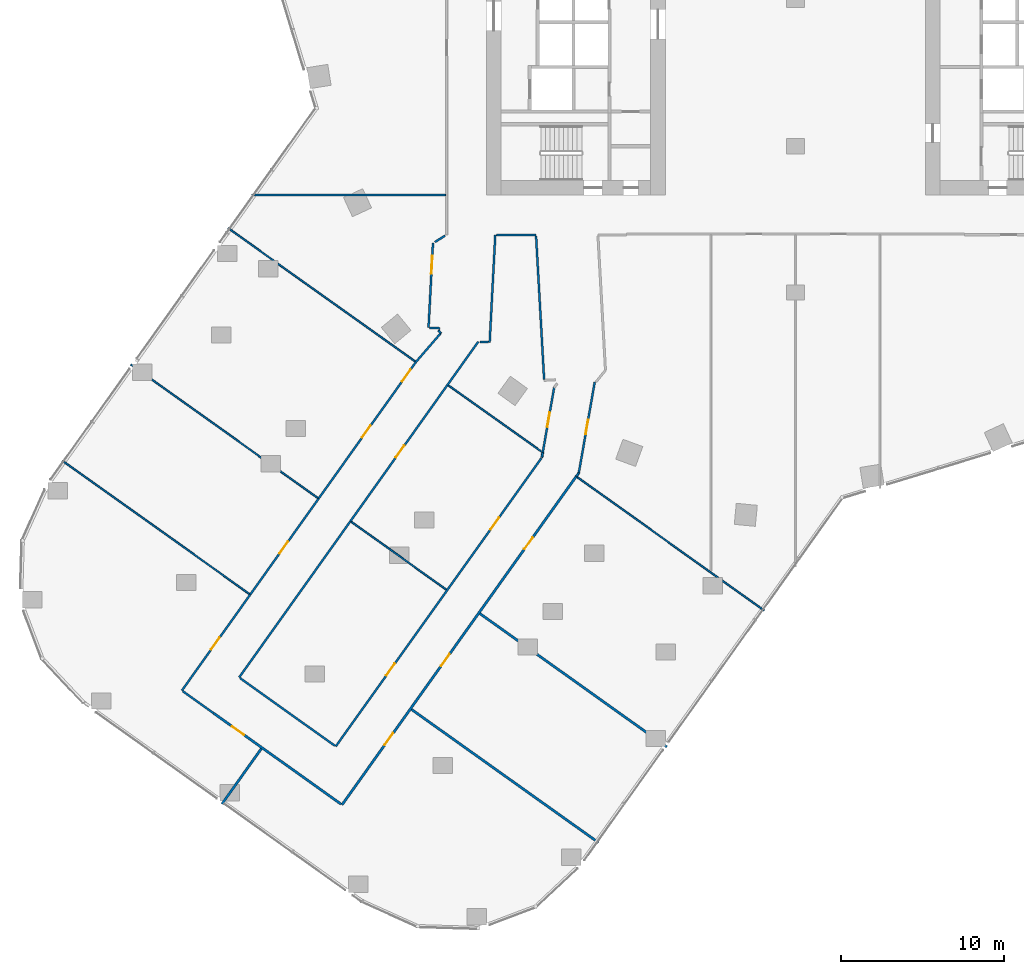
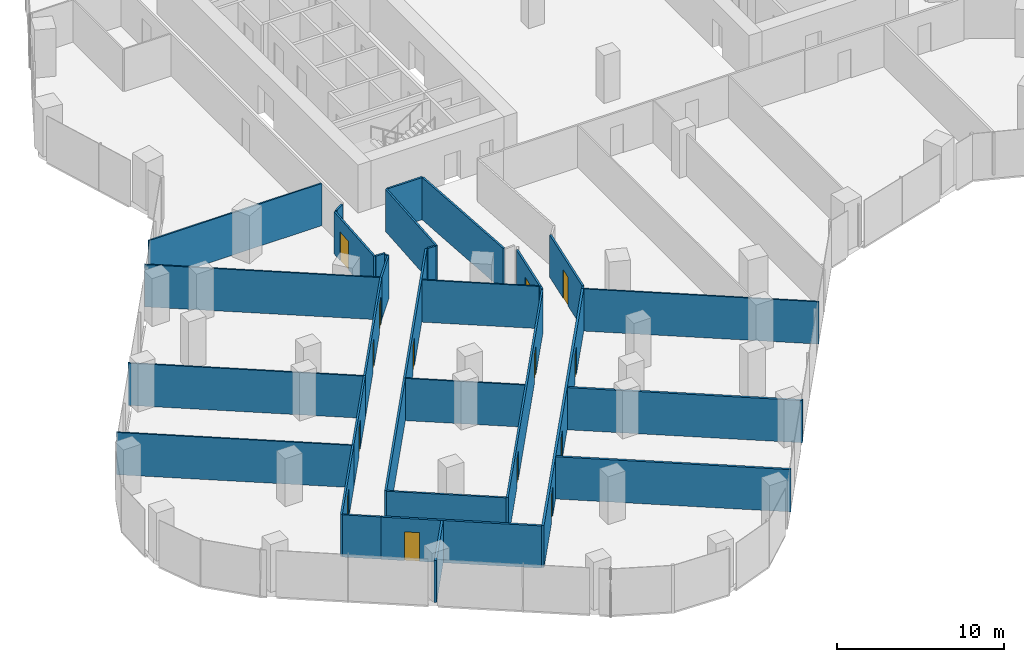
# One storey, part 23 of 31: 33 walls, 14 doors, 14 openings.
"""IFC4 building model written with IfcOpenShell, lengths in metres."""

from ifc_helpers import new_model, si_unit, direction, frame, frame_2d, origin, place, context, subcontext, project, spatial, rectangle, extrude, material, layer, layer_set, type_object, element, fill, save


model = new_model("IFC4")

# Units and contexts
model_context = context("Model", 3, precision=1e-05, world=origin(), true_north=direction((0.0, 1.0)))
body_context = subcontext(model_context, "Body", "Model", "MODEL_VIEW")
ifc_project = project(units=[si_unit("LENGTHUNIT", "METRE"), si_unit("AREAUNIT", "SQUARE_METRE"), si_unit("VOLUMEUNIT", "CUBIC_METRE"), si_unit("PLANEANGLEUNIT", "RADIAN"), si_unit("MASSUNIT", "GRAM", prefix="KILO")], contexts=[model_context])

# Site, building, storey
site_placement = place(None, origin())
site = spatial("IfcSite", under=ifc_project, at=site_placement, CompositionType="ELEMENT")
building_placement = place(site_placement, origin())
building = spatial("IfcBuilding", under=site, at=building_placement, Name="Orlundy Tower", CompositionType="ELEMENT")
storey_placement = place(building_placement, frame((0.0, 0.0, 87.699951171875)))
storey = spatial("IfcBuildingStorey", under=building, at=storey_placement, Name="L21", CompositionType="ELEMENT", Elevation=87.699951171875)

# Walls
ifc_material_1 = material(Name="Gypsum board partition")
ifc_layer_1 = layer(ifc_material_1, 0.10009765625)
ifc_layer_set_1 = layer_set([ifc_layer_1], Name="Floor partition 100")
wall_type_1 = type_object("IfcWallType", Name="Floor partition 100", PredefinedType="PARTITIONING", material=ifc_layer_set_1)
wall_1_placement = place(storey_placement, frame((-45.091064453125, -28.343994140625, 0.0), z_axis=(0.0, 0.0, 1.0), x_axis=(0.814507796702, -0.580152608468, 0.0)))
element("IfcWall", 1, at=wall_1_placement, inside=storey, type_object=wall_type_1, Name="wall-int-L21-007", PredefinedType="PARTITIONING", context=body_context, shape_type="SweptSolid", body=[
    extrude(rectangle(XDim=14.13232421875, YDim=0.10009765625, at=frame_2d((7.066162109375, 0.0))), origin(), (0.0, 0.0, 1.0), 3.080078125),
])
wall_2_placement = place(storey_placement, frame((-40.875, -22.43310546875, 0.0), z_axis=(0.0, 0.0, 1.0), x_axis=(0.814073113892, -0.580762399987, 0.0)))
element("IfcWall", 2, at=wall_2_placement, inside=storey, type_object=wall_type_1, Name="wall-int-L21-009", PredefinedType="PARTITIONING", context=body_context, shape_type="SweptSolid", body=[
    extrude(rectangle(XDim=14.127685546875, YDim=0.10009765625, at=frame_2d((7.06396484375, 0.0))), origin(), (0.0, 0.0, 1.0), 3.080078125),
])
wall_3_placement = place(storey_placement, frame((-27.31689453125, -32.10400390625, 0.0), z_axis=(0.0, 0.0, 1.0), x_axis=(0.814075490276, -0.58075906892, 0.0)))
element("IfcWall", 3, at=wall_3_placement, inside=storey, type_object=wall_type_1, Name="wall-int-L21-010", PredefinedType="PARTITIONING", context=body_context, shape_type="SweptSolid", body=[
    extrude(rectangle(XDim=7.18359375, YDim=0.10009765625, at=frame_2d((3.591796875, 0.0))), origin(), (0.0, 0.0, 1.0), 3.080078125),
])
wall_4_placement = place(storey_placement, frame((-34.889892578125, -14.04296875, 0.0), z_axis=(0.0, 0.0, 1.0), x_axis=(0.814114134431, -0.580704895898, 0.0)))
element("IfcWall", 4, at=wall_4_placement, inside=storey, type_object=wall_type_1, Name="wall-int-L21-012", PredefinedType="PARTITIONING", context=body_context, shape_type="SweptSolid", body=[
    extrude(rectangle(XDim=14.12060546875, YDim=0.10009765625, at=frame_2d((7.060302734375, 0.0))), origin(), (0.0, 0.0, 1.0), 3.080078125),
])
wall_5_placement = place(storey_placement, frame((-21.337890625, -23.708984375, 0.0), z_axis=(0.0, 0.0, 1.0), x_axis=(0.814120490143, -0.580695985461, 0.0)))
element("IfcWall", 5, at=wall_5_placement, inside=storey, type_object=wall_type_1, Name="wall-int-L21-013", PredefinedType="PARTITIONING", context=body_context, shape_type="SweptSolid", body=[
    extrude(rectangle(XDim=7.029541015625, YDim=0.10009765625, at=frame_2d((3.5146484375, 0.0))), origin(), (0.0, 0.0, 1.0), 3.080078125),
])
wall_6_placement = place(storey_placement, frame((-13.4169921875, -29.35888671875, 0.0), z_axis=(0.0, 0.0, 1.0), x_axis=(0.814093047319, -0.580734457655, 0.0)))
element("IfcWall", 6, at=wall_6_placement, inside=storey, type_object=wall_type_1, Name="wall-int-L21-014", PredefinedType="PARTITIONING", context=body_context, shape_type="SweptSolid", body=[
    extrude(rectangle(XDim=14.123779296875, YDim=0.10009765625, at=frame_2d((7.06201171875, 0.0))), origin(), (0.0, 0.0, 1.0), 3.080078125),
])
wall_7_placement = place(storey_placement, frame((-33.43310546875, -12.0, 0.0), z_axis=(0.0, 0.0, 1.0), x_axis=(1.0, 0.0, 0.0)))
element("IfcWall", 7, at=wall_7_placement, inside=storey, type_object=wall_type_1, Name="wall-int-L21-035", PredefinedType="PARTITIONING", context=body_context, shape_type="SweptSolid", body=[
    extrude(rectangle(XDim=11.921142578125, YDim=0.10009765625, at=frame_2d((5.96044921875, 0.0))), origin(), (0.0, 0.0, 1.0), 3.080078125),
])
ifc_material_2 = material(Name="Gypsum board partition, double layer")
ifc_layer_2 = layer(ifc_material_2, 0.125)
ifc_layer_set_2 = layer_set([ifc_layer_2], Name="Floor partition 125")
wall_type_2 = type_object("IfcWallType", Name="Floor partition 125", PredefinedType="PARTITIONING", material=ifc_layer_set_2)
wall_8_placement = place(storey_placement, frame((-15.455078125, -23.341064453125, 0.0), z_axis=(0.0, 0.0, 1.0), x_axis=(-0.056078648391, 0.998426354417, 0.0)))
element("IfcWall", 8, at=wall_8_placement, inside=storey, type_object=wall_type_2, Name="wall-int-L21-001", PredefinedType="PARTITIONING", context=body_context, shape_type="SweptSolid", body=[
    extrude(rectangle(XDim=8.842041015625, YDim=0.125, at=frame_2d((4.4208984375, 0.0))), origin(), (0.0, 0.0, 1.0), 3.080078125),
])
wall_9_placement = place(storey_placement, frame((-21.955078125, -20.330078125, 0.0), z_axis=(0.0, 0.0, 1.0), x_axis=(0.635933908165, -0.771743522451, 0.0)))
element("IfcWall", 9, at=wall_9_placement, inside=storey, type_object=wall_type_2, Name="wall-int-L21-003", PredefinedType="PARTITIONING", context=body_context, shape_type="SweptSolid", body=[
    extrude(rectangle(XDim=0.2265625, YDim=0.125, at=frame_2d((0.11328125, 0.0))), origin(), (0.0, 0.0, 1.0), 3.080078125),
])
wall_10_placement = place(storey_placement, frame((-37.68505859375, -42.52099609375, 0.0), z_axis=(0.0, 0.0, 1.0), x_axis=(0.81441767076, -0.580279120385, 0.0)))
element("IfcWall", 10, at=wall_10_placement, inside=storey, type_object=wall_type_2, Name="wall-int-L21-004", PredefinedType="PARTITIONING", context=body_context, shape_type="SweptSolid", body=[
    extrude(rectangle(XDim=2.336669921875, YDim=0.125, at=frame_2d((1.16845703125, 0.0))), origin(), (0.0, 0.0, 1.0), 3.080078125),
])
wall_11_placement = place(storey_placement, frame((-34.1630859375, -41.715087890625, 0.0), z_axis=(0.0, 0.0, 1.0), x_axis=(0.814121788358, -0.580694165393, 0.0)))
element("IfcWall", 11, at=wall_11_placement, inside=storey, type_object=wall_type_2, Name="wall-int-L21-006", PredefinedType="PARTITIONING", context=body_context, shape_type="SweptSolid", body=[
    extrude(rectangle(XDim=7.17578125, YDim=0.125, at=frame_2d((3.587890625, 0.0))), origin(), (0.0, 0.0, 1.0), 3.080078125),
])
wall_12_placement = place(storey_placement, frame((-19.389892578125, -21.031982421875, 0.0), z_axis=(0.0, 0.0, 1.0), x_axis=(0.998561899865, -0.053610932999, 0.0)))
element("IfcWall", 12, at=wall_12_placement, inside=storey, type_object=wall_type_2, Name="wall-int-L21-029", PredefinedType="PARTITIONING", context=body_context, shape_type="SweptSolid", body=[
    extrude(rectangle(XDim=0.523681640625, YDim=0.125, at=frame_2d((0.26171875, 0.0))), origin(), (0.0, 0.0, 1.0), 3.080078125),
])
wall_13_placement = place(storey_placement, frame((-22.5009765625, -20.1689453125, 0.0), z_axis=(0.0, 0.0, 1.0), x_axis=(0.998579445261, -0.05328312587, 0.0)))
element("IfcWall", 13, at=wall_13_placement, inside=storey, type_object=wall_type_2, Name="wall-int-L21-030", PredefinedType="PARTITIONING", context=body_context, shape_type="SweptSolid", body=[
    extrude(rectangle(XDim=0.636962890625, YDim=0.125, at=frame_2d((0.318359375, 0.0))), origin(), (0.0, 0.0, 1.0), 3.080078125),
])
wall_14_placement = place(storey_placement, frame((-18.39501953125, -14.450927734375, 0.0), z_axis=(0.0, 0.0, 1.0), x_axis=(1.0, 0.0, 0.0)))
element("IfcWall", 14, at=wall_14_placement, inside=storey, type_object=wall_type_2, Name="wall-int-L21-031", PredefinedType="PARTITIONING", context=body_context, shape_type="SweptSolid", body=[
    extrude(rectangle(XDim=2.44091796875, YDim=0.125, at=frame_2d((1.220458984375, 0.0))), origin(), (0.0, 0.0, 1.0), 3.080078125),
])
wall_15_placement = place(storey_placement, frame((-22.1708984375, -14.89599609375, 0.0), z_axis=(0.0, 0.0, 1.0), x_axis=(0.847104786715, 0.53142589354, 0.0)))
element("IfcWall", 15, at=wall_15_placement, inside=storey, type_object=wall_type_2, Name="wall-int-L21-044", PredefinedType="PARTITIONING", context=body_context, shape_type="SweptSolid", body=[
    extrude(rectangle(XDim=0.73779296875, YDim=0.125, at=frame_2d((0.368896484375, 0.0))), origin(), (0.0, 0.0, 1.0), 3.080078125),
])
wall_16_placement = place(storey_placement, frame((-21.81103515625, -20.5048828125, 0.0), z_axis=(0.0, 0.0, 1.0), x_axis=(-0.65355749983, -0.756876868728, 0.0)))
element("IfcWall", 16, at=wall_16_placement, inside=storey, type_object=wall_type_2, Name="wall-int-L21-045", PredefinedType="PARTITIONING", context=body_context, shape_type="SweptSolid", body=[
    extrude(rectangle(XDim=2.343994140625, YDim=0.125, at=frame_2d((1.171875, 0.0))), origin(), (0.0, 0.0, 1.0), 3.080078125),
])
wall_17_placement = place(storey_placement, frame((-13.47802734375, -29.31494140625, 0.0), z_axis=(0.0, 0.0, 1.0), x_axis=(0.581578261401, 0.813490458374, 0.0)))
element("IfcWall", 17, at=wall_17_placement, inside=storey, type_object=wall_type_2, Name="wall-int-L21-048", PredefinedType="PARTITIONING", context=body_context, shape_type="SweptSolid", body=[
    extrude(rectangle(XDim=0.271484375, YDim=0.125, at=frame_2d((0.1357421875, 0.0))), origin(), (0.0, 0.0, 1.0), 3.080078125),
])

# Wall, openings, doors
wall_18_placement = place(storey_placement, frame((-28.27001953125, -45.91796875, 0.0), z_axis=(0.0, 0.0, 1.0), x_axis=(0.580725722128, 0.814099278749, 0.0)))
wall_18 = element("IfcWall", 18, at=wall_18_placement, inside=storey, type_object=wall_type_2, Name="wall-int-L21-050", PredefinedType="PARTITIONING", context=body_context, shape_type="SweptSolid", body=[
    extrude(rectangle(XDim=21.771240234375, YDim=0.125, at=frame_2d((10.8857421875, 0.0))), origin(), (0.0, 0.0, 1.0), 3.080078125),
])
opening_1_placement = place(wall_18_placement, frame((16.3994140625, 0.0, 0.0)))
opening_1 = element("IfcOpeningElement", 19, at=opening_1_placement, cuts=wall_18, Name="Opening 17113", PredefinedType="OPENING", context=body_context, shape_type="SweptSolid", body=[
    extrude(rectangle(XDim=0.89990234375, YDim=2.10009765625, at=frame_2d((0.449951171875, 1.050048828125))), frame((0.0, 0.072509765625, 0.0), z_axis=(0.0, -1.0, 0.0), x_axis=(1.0, 0.0, 0.0)), (0.0, 0.0, 1.0), 0.14501953125),
])
opening_2_placement = place(wall_18_placement, frame((5.35009765625, 0.0, 0.0)))
opening_2 = element("IfcOpeningElement", 20, at=opening_2_placement, cuts=wall_18, Name="Opening 17116", PredefinedType="OPENING", context=body_context, shape_type="SweptSolid", body=[
    extrude(rectangle(XDim=0.89990234375, YDim=2.10009765625, at=frame_2d((0.449951171875, 1.050048828125))), frame((0.0, 0.072509765625, 0.0), z_axis=(0.0, -1.0, 0.0), x_axis=(1.0, 0.0, 0.0)), (0.0, 0.0, 1.0), 0.14501953125),
])
ifc_material_3 = material(Name="Timber door leaf", Category="wood")
door_type_1 = type_object("IfcDoorType", Name="Floor door single 900 FD30S", OperationType="NOTDEFINED", PredefinedType="DOOR", material=ifc_material_3)
door_1_placement = place(opening_1_placement, origin())
door_1 = element("IfcDoor", 21, at=door_1_placement, inside=storey, type_object=door_type_1, Name="Door 17113", OperationType="SINGLE_SWING_RIGHT", OverallHeight=2.10009765625, OverallWidth=0.89990234375, PredefinedType="DOOR", context=body_context, shape_type="SweptSolid", body=[
    extrude(rectangle(XDim=0.89990234375, YDim=2.10009765625, at=frame_2d((0.449951171875, 1.050048828125))), frame((0.0, 0.02490234375, 0.0), z_axis=(0.0, -1.0, 0.0), x_axis=(1.0, 0.0, 0.0)), (0.0, 0.0, 1.0), 0.050048828125),
])
fill(opening_1, door_1)
door_2_placement = place(opening_2_placement, origin())
door_2 = element("IfcDoor", 22, at=door_2_placement, inside=storey, type_object=door_type_1, Name="Door 17116", OperationType="SINGLE_SWING_LEFT", OverallHeight=2.10009765625, OverallWidth=0.89990234375, PredefinedType="DOOR", context=body_context, shape_type="SweptSolid", body=[
    extrude(rectangle(XDim=0.89990234375, YDim=2.10009765625, at=frame_2d((0.449951171875, 1.050048828125))), frame((0.0, 0.02490234375, 0.0), z_axis=(0.0, -1.0, 0.0), x_axis=(1.0, 0.0, 0.0)), (0.0, 0.0, 1.0), 0.050048828125),
])
fill(opening_2, door_2)

# Wall
wall_19_placement = place(storey_placement, frame((-34.214111328125, -41.678955078125, 0.0), z_axis=(0.0, 0.0, 1.0), x_axis=(0.580188672361, 0.81448210813, 0.0)))
element("IfcWall", 23, at=wall_19_placement, inside=storey, type_object=wall_type_2, Name="wall-int-L21-052", PredefinedType="PARTITIONING", context=body_context, shape_type="SweptSolid", body=[
    extrude(rectangle(XDim=11.800048828125, YDim=0.125, at=frame_2d((5.89990234375, 0.0))), origin(), (0.0, 0.0, 1.0), 3.080078125),
])

# Wall, opening, door
wall_20_placement = place(storey_placement, frame((-19.50390625, -21.02587890625, 0.0), z_axis=(0.0, 0.0, 1.0), x_axis=(-0.580099628217, -0.814545530552, 0.0)))
wall_20 = element("IfcWall", 24, at=wall_20_placement, inside=storey, type_object=wall_type_2, Name="wall-int-L21-053", PredefinedType="PARTITIONING", context=body_context, shape_type="SweptSolid", body=[
    extrude(rectangle(XDim=13.556396484375, YDim=0.125, at=frame_2d((6.7783203125, 0.0))), origin(), (0.0, 0.0, 1.0), 3.080078125),
])
opening_3_placement = place(wall_20_placement, frame((7.849853515625, 0.0, 0.0)))
opening_3 = element("IfcOpeningElement", 25, at=opening_3_placement, cuts=wall_20, Name="Opening 17112", PredefinedType="OPENING", context=body_context, shape_type="SweptSolid", body=[
    extrude(rectangle(XDim=0.89990234375, YDim=2.10009765625, at=frame_2d((0.449951171875, 1.050048828125))), frame((0.0, 0.072509765625, 0.0), z_axis=(0.0, -1.0, 0.0), x_axis=(1.0, 0.0, 0.0)), (0.0, 0.0, 1.0), 0.14501953125),
])
door_3_placement = place(opening_3_placement, origin())
door_3 = element("IfcDoor", 26, at=door_3_placement, inside=storey, type_object=door_type_1, Name="Door 17112", OperationType="SINGLE_SWING_RIGHT", OverallHeight=2.10009765625, OverallWidth=0.89990234375, PredefinedType="DOOR", context=body_context, shape_type="SweptSolid", body=[
    extrude(rectangle(XDim=0.89990234375, YDim=2.10009765625, at=frame_2d((0.449951171875, 1.050048828125))), frame((0.0, 0.02490234375, 0.0), z_axis=(0.0, -1.0, 0.0), x_axis=(1.0, 0.0, 0.0)), (0.0, 0.0, 1.0), 0.050048828125),
])
fill(opening_3, door_3)

wall_21_placement = place(storey_placement, frame((-37.736083984375, -42.485107421875, 0.0), z_axis=(0.0, 0.0, 1.0), x_axis=(0.580183503548, 0.814485790061, 0.0)))
wall_21 = element("IfcWall", 27, at=wall_21_placement, inside=storey, type_object=wall_type_2, Name="wall-int-L21-054", PredefinedType="PARTITIONING", context=body_context, shape_type="SweptSolid", body=[
    extrude(rectangle(XDim=7.251220703125, YDim=0.125, at=frame_2d((3.62548828125, 0.0))), origin(), (0.0, 0.0, 1.0), 3.080078125),
])
opening_4_placement = place(wall_21_placement, frame((3.10009765625, 0.0, 0.0)))
opening_4 = element("IfcOpeningElement", 28, at=opening_4_placement, cuts=wall_21, Name="Opening 17118", PredefinedType="OPENING", context=body_context, shape_type="SweptSolid", body=[
    extrude(rectangle(XDim=0.89990234375, YDim=2.10009765625, at=frame_2d((0.449951171875, 1.050048828125))), frame((0.0, 0.072509765625, 0.0), z_axis=(0.0, -1.0, 0.0), x_axis=(1.0, 0.0, 0.0)), (0.0, 0.0, 1.0), 0.14501953125),
])
door_4_placement = place(opening_4_placement, origin())
door_4 = element("IfcDoor", 29, at=door_4_placement, inside=storey, type_object=door_type_1, Name="Door 17118", OperationType="SINGLE_SWING_LEFT", OverallHeight=2.10009765625, OverallWidth=0.89990234375, PredefinedType="DOOR", context=body_context, shape_type="SweptSolid", body=[
    extrude(rectangle(XDim=0.89990234375, YDim=2.10009765625, at=frame_2d((0.449951171875, 1.050048828125))), frame((0.0, 0.02490234375, 0.0), z_axis=(0.0, -1.0, 0.0), x_axis=(1.0, 0.0, 0.0)), (0.0, 0.0, 1.0), 0.050048828125),
])
fill(opening_4, door_4)

# Wall, openings, doors
wall_22_placement = place(storey_placement, frame((-29.322998046875, -30.674072265625, 0.0), z_axis=(0.0, 0.0, 1.0), x_axis=(0.580180127153, 0.814488195161, 0.0)))
wall_22 = element("IfcWall", 30, at=wall_22_placement, inside=storey, type_object=wall_type_2, Name="wall-int-L21-055", PredefinedType="PARTITIONING", context=body_context, shape_type="SweptSolid", body=[
    extrude(rectangle(XDim=10.30712890625, YDim=0.125, at=frame_2d((5.153564453125, 0.0))), origin(), (0.0, 0.0, 1.0), 3.080078125),
])
opening_5_placement = place(wall_22_placement, frame((4.60009765625, 0.0, 0.0)))
opening_5 = element("IfcOpeningElement", 31, at=opening_5_placement, cuts=wall_22, Name="Opening 17120", PredefinedType="OPENING", context=body_context, shape_type="SweptSolid", body=[
    extrude(rectangle(XDim=0.89990234375, YDim=2.10009765625, at=frame_2d((0.449951171875, 1.050048828125))), frame((0.0, 0.072509765625, 0.0), z_axis=(0.0, -1.0, 0.0), x_axis=(1.0, 0.0, 0.0)), (0.0, 0.0, 1.0), 0.14501953125),
])
opening_6_placement = place(wall_22_placement, frame((8.85009765625, 0.0, 0.0)))
opening_6 = element("IfcOpeningElement", 32, at=opening_6_placement, cuts=wall_22, Name="Opening 17121", PredefinedType="OPENING", context=body_context, shape_type="SweptSolid", body=[
    extrude(rectangle(XDim=0.89990234375, YDim=2.10009765625, at=frame_2d((0.449951171875, 1.050048828125))), frame((0.0, 0.072509765625, 0.0), z_axis=(0.0, -1.0, 0.0), x_axis=(1.0, 0.0, 0.0)), (0.0, 0.0, 1.0), 0.14501953125),
])
door_5_placement = place(opening_5_placement, origin())
door_5 = element("IfcDoor", 33, at=door_5_placement, inside=storey, type_object=door_type_1, Name="Door 17120", OperationType="SINGLE_SWING_LEFT", OverallHeight=2.10009765625, OverallWidth=0.89990234375, PredefinedType="DOOR", context=body_context, shape_type="SweptSolid", body=[
    extrude(rectangle(XDim=0.89990234375, YDim=2.10009765625, at=frame_2d((0.449951171875, 1.050048828125))), frame((0.0, 0.02490234375, 0.0), z_axis=(0.0, -1.0, 0.0), x_axis=(1.0, 0.0, 0.0)), (0.0, 0.0, 1.0), 0.050048828125),
])
fill(opening_5, door_5)
door_6_placement = place(opening_6_placement, origin())
door_6 = element("IfcDoor", 34, at=door_6_placement, inside=storey, type_object=door_type_1, Name="Door 17121", OperationType="SINGLE_SWING_RIGHT", OverallHeight=2.10009765625, OverallWidth=0.89990234375, PredefinedType="DOOR", context=body_context, shape_type="SweptSolid", body=[
    extrude(rectangle(XDim=0.89990234375, YDim=2.10009765625, at=frame_2d((0.449951171875, 1.050048828125))), frame((0.0, 0.02490234375, 0.0), z_axis=(0.0, -1.0, 0.0), x_axis=(1.0, 0.0, 0.0)), (0.0, 0.0, 1.0), 0.050048828125),
])
fill(opening_6, door_6)

# Wall, opening, door
wall_23_placement = place(storey_placement, frame((-33.529052734375, -36.5791015625, 0.0), z_axis=(0.0, 0.0, 1.0), x_axis=(0.580157797449, 0.814504100702, 0.0)))
wall_23 = element("IfcWall", 35, at=wall_23_placement, inside=storey, type_object=wall_type_2, Name="wall-int-L21-056", PredefinedType="PARTITIONING", context=body_context, shape_type="SweptSolid", body=[
    extrude(rectangle(XDim=7.249755859375, YDim=0.125, at=frame_2d((3.625, 0.0))), origin(), (0.0, 0.0, 1.0), 3.080078125),
])
opening_7_placement = place(wall_23_placement, frame((3.10009765625, 0.0, 0.0)))
opening_7 = element("IfcOpeningElement", 36, at=opening_7_placement, cuts=wall_23, Name="Opening 17115", PredefinedType="OPENING", context=body_context, shape_type="SweptSolid", body=[
    extrude(rectangle(XDim=0.89990234375, YDim=2.10009765625, at=frame_2d((0.449951171875, 1.050048828125))), frame((0.0, 0.072509765625, 0.0), z_axis=(0.0, -1.0, 0.0), x_axis=(1.0, 0.0, 0.0)), (0.0, 0.0, 1.0), 0.14501953125),
])
door_7_placement = place(opening_7_placement, origin())
door_7 = element("IfcDoor", 37, at=door_7_placement, inside=storey, type_object=door_type_1, Name="Door 17115", OperationType="SINGLE_SWING_LEFT", OverallHeight=2.10009765625, OverallWidth=0.89990234375, PredefinedType="DOOR", context=body_context, shape_type="SweptSolid", body=[
    extrude(rectangle(XDim=0.89990234375, YDim=2.10009765625, at=frame_2d((0.449951171875, 1.050048828125))), frame((0.0, 0.02490234375, 0.0), z_axis=(0.0, -1.0, 0.0), x_axis=(1.0, 0.0, 0.0)), (0.0, 0.0, 1.0), 0.050048828125),
])
fill(opening_7, door_7)

wall_24_placement = place(storey_placement, frame((-12.341064453125, -23.507080078125, 0.0), z_axis=(0.0, 0.0, 1.0), x_axis=(-0.172630951449, -0.984986575849, 0.0)))
wall_24 = element("IfcWall", 38, at=wall_24_placement, inside=storey, type_object=wall_type_2, Name="wall-int-L21-070", PredefinedType="PARTITIONING", context=body_context, shape_type="SweptSolid", body=[
    extrude(rectangle(XDim=5.671142578125, YDim=0.125, at=frame_2d((2.83544921875, 0.0))), origin(), (0.0, 0.0, 1.0), 3.080078125),
])
opening_8_placement = place(wall_24_placement, frame((2.35009765625, 0.0, 0.0)))
opening_8 = element("IfcOpeningElement", 39, at=opening_8_placement, cuts=wall_24, Name="Opening 17125", PredefinedType="OPENING", context=body_context, shape_type="SweptSolid", body=[
    extrude(rectangle(XDim=0.89990234375, YDim=2.10009765625, at=frame_2d((0.449951171875, 1.050048828125))), frame((0.0, 0.072509765625, 0.0), z_axis=(0.0, -1.0, 0.0), x_axis=(1.0, 0.0, 0.0)), (0.0, 0.0, 1.0), 0.14501953125),
])
door_8_placement = place(opening_8_placement, origin())
door_8 = element("IfcDoor", 40, at=door_8_placement, inside=storey, type_object=door_type_1, Name="Door 17125", OperationType="SINGLE_SWING_LEFT", OverallHeight=2.10009765625, OverallWidth=0.89990234375, PredefinedType="DOOR", context=body_context, shape_type="SweptSolid", body=[
    extrude(rectangle(XDim=0.89990234375, YDim=2.10009765625, at=frame_2d((0.449951171875, 1.050048828125))), frame((0.0, 0.02490234375, 0.0), z_axis=(0.0, -1.0, 0.0), x_axis=(1.0, 0.0, 0.0)), (0.0, 0.0, 1.0), 0.050048828125),
])
fill(opening_8, door_8)

wall_25_placement = place(storey_placement, frame((-15.5390625, -27.844970703125, 0.0), z_axis=(0.0, 0.0, 1.0), x_axis=(0.172636295387, 0.984985639243, 0.0)))
wall_25 = element("IfcWall", 41, at=wall_25_placement, inside=storey, type_object=wall_type_2, Name="wall-int-L21-071", PredefinedType="PARTITIONING", context=body_context, shape_type="SweptSolid", body=[
    extrude(rectangle(XDim=4.048828125, YDim=0.125, at=frame_2d((2.0244140625, 0.0))), origin(), (0.0, 0.0, 1.0), 3.080078125),
])
opening_9_placement = place(wall_25_placement, frame((1.60009765625, 0.0, 0.0)))
opening_9 = element("IfcOpeningElement", 42, at=opening_9_placement, cuts=wall_25, Name="Opening 17124", PredefinedType="OPENING", context=body_context, shape_type="SweptSolid", body=[
    extrude(rectangle(XDim=0.89990234375, YDim=2.10009765625, at=frame_2d((0.449951171875, 1.050048828125))), frame((0.0, 0.072509765625, 0.0), z_axis=(0.0, -1.0, 0.0), x_axis=(1.0, 0.0, 0.0)), (0.0, 0.0, 1.0), 0.14501953125),
])
door_9_placement = place(opening_9_placement, origin())
door_9 = element("IfcDoor", 43, at=door_9_placement, inside=storey, type_object=door_type_1, Name="Door 17124", OperationType="SINGLE_SWING_RIGHT", OverallHeight=2.10009765625, OverallWidth=0.89990234375, PredefinedType="DOOR", context=body_context, shape_type="SweptSolid", body=[
    extrude(rectangle(XDim=0.89990234375, YDim=2.10009765625, at=frame_2d((0.449951171875, 1.050048828125))), frame((0.0, 0.02490234375, 0.0), z_axis=(0.0, -1.0, 0.0), x_axis=(1.0, 0.0, 0.0)), (0.0, 0.0, 1.0), 0.050048828125),
])
fill(opening_9, door_9)

# Walls
wall_26_placement = place(storey_placement, frame((-15.591064453125, -28.14306640625, 0.0), z_axis=(0.0, 0.0, 1.0), x_axis=(0.171851888702, 0.985122798614, 0.0)))
element("IfcWall", 44, at=wall_26_placement, inside=storey, type_object=wall_type_2, Name="wall-int-L21-072", PredefinedType="PARTITIONING", context=body_context, shape_type="SweptSolid", body=[
    extrude(rectangle(XDim=0.302490234375, YDim=0.125, at=frame_2d((0.1513671875, 0.0))), origin(), (0.0, 0.0, 1.0), 3.080078125),
])
wall_27_placement = place(storey_placement, frame((-18.803955078125, -21.06298828125, 0.0), z_axis=(0.0, 0.0, 1.0), x_axis=(0.052281905806, 0.998632365951, 0.0)))
element("IfcWall", 45, at=wall_27_placement, inside=storey, type_object=wall_type_2, Name="wall-int-L21-075", PredefinedType="PARTITIONING", context=body_context, shape_type="SweptSolid", body=[
    extrude(rectangle(XDim=6.616943359375, YDim=0.125, at=frame_2d((3.30859375, 0.0))), origin(), (0.0, 0.0, 1.0), 3.080078125),
])

# Wall, opening, door
wall_28_placement = place(storey_placement, frame((-22.56396484375, -20.166015625, 0.0), z_axis=(0.0, 0.0, 1.0), x_axis=(0.052553916269, 0.998618088102, 0.0)))
wall_28 = element("IfcWall", 46, at=wall_28_placement, inside=storey, type_object=wall_type_2, Name="wall-int-L21-076", PredefinedType="PARTITIONING", context=body_context, shape_type="SweptSolid", body=[
    extrude(rectangle(XDim=5.21240234375, YDim=0.125, at=frame_2d((2.606201171875, 0.0))), origin(), (0.0, 0.0, 1.0), 3.080078125),
])
opening_10_placement = place(wall_28_placement, frame((3.325439453125, 0.0, 0.0)))
opening_10 = element("IfcOpeningElement", 47, at=opening_10_placement, cuts=wall_28, Name="Opening 17123", PredefinedType="OPENING", context=body_context, shape_type="SweptSolid", body=[
    extrude(rectangle(XDim=1.10009765625, YDim=2.10009765625, at=frame_2d((0.550048828125, 1.050048828125))), frame((0.0, 0.072509765625, 0.0), z_axis=(0.0, -1.0, 0.0), x_axis=(1.0, 0.0, 0.0)), (0.0, 0.0, 1.0), 0.14501953125),
])
ifc_material_4 = material(Name="Timber door leaf", Category="wood")
door_type_2 = type_object("IfcDoorType", Name="Floor door xwide 1100 FD30S", OperationType="NOTDEFINED", PredefinedType="DOOR", material=ifc_material_4)
door_10_placement = place(opening_10_placement, origin())
door_10 = element("IfcDoor", 48, at=door_10_placement, inside=storey, type_object=door_type_2, Name="Door 17123", OperationType="SINGLE_SWING_RIGHT", OverallHeight=2.10009765625, OverallWidth=1.10009765625, PredefinedType="DOOR", context=body_context, shape_type="SweptSolid", body=[
    extrude(rectangle(XDim=1.10009765625, YDim=2.10009765625, at=frame_2d((0.550048828125, 1.050048828125))), frame((0.0, 0.02490234375, 0.0), z_axis=(0.0, -1.0, 0.0), x_axis=(1.0, 0.0, 0.0)), (0.0, 0.0, 1.0), 0.050048828125),
])
fill(opening_10, door_10)

ifc_material_5 = material(Name="Blockwork shaft wall", Category="masonry")
ifc_layer_3 = layer(ifc_material_5, 0.14990234375)
ifc_layer_set_3 = layer_set([ifc_layer_3], Name="Floor shaft wall 150")
wall_type_3 = type_object("IfcWallType", Name="Floor shaft wall 150", PredefinedType="PARTITIONING", material=ifc_layer_set_3)
wall_29_placement = place(storey_placement, frame((-27.946044921875, -49.467041015625, 0.0), z_axis=(0.0, 0.0, 1.0), x_axis=(-0.814125762823, 0.58068859323, 0.0)))
wall_29 = element("IfcWall", 49, at=wall_29_placement, inside=storey, type_object=wall_type_3, Name="wall-int-L21-005", PredefinedType="PARTITIONING", context=body_context, shape_type="SweptSolid", body=[
    extrude(rectangle(XDim=9.625, YDim=0.14990234375, at=frame_2d((4.8125, 0.0))), origin(), (0.0, 0.0, 1.0), 3.080078125),
])
opening_11_placement = place(wall_29_placement, frame((7.3203125, 0.0, 0.0)))
opening_11 = element("IfcOpeningElement", 50, at=opening_11_placement, cuts=wall_29, Name="Opening 17119", PredefinedType="OPENING", context=body_context, shape_type="SweptSolid", body=[
    extrude(rectangle(XDim=0.89990234375, YDim=2.10009765625, at=frame_2d((0.449951171875, 1.050048828125))), frame((0.0, 0.0849609375, 0.0), z_axis=(0.0, -1.0, 0.0), x_axis=(1.0, 0.0, 0.0)), (0.0, 0.0, 1.0), 0.169921875),
])
ifc_material_6 = material(Name="Timber door leaf", Category="wood")
door_type_3 = type_object("IfcDoorType", Name="Floor door single 900 FD60", OperationType="NOTDEFINED", PredefinedType="DOOR", material=ifc_material_6)
door_11_placement = place(opening_11_placement, origin())
door_11 = element("IfcDoor", 51, at=door_11_placement, inside=storey, type_object=door_type_3, Name="Door 17119", OperationType="SINGLE_SWING_RIGHT", OverallHeight=2.10009765625, OverallWidth=0.89990234375, PredefinedType="DOOR", context=body_context, shape_type="SweptSolid", body=[
    extrude(rectangle(XDim=0.89990234375, YDim=2.10009765625, at=frame_2d((0.449951171875, 1.050048828125))), frame((0.0, 0.02490234375, 0.0), z_axis=(0.0, -1.0, 0.0), x_axis=(1.0, 0.0, 0.0)), (0.0, 0.0, 1.0), 0.050048828125),
])
fill(opening_11, door_11)

# Walls
wall_30_placement = place(storey_placement, frame((-23.60791015625, -43.64599609375, 0.0), z_axis=(0.0, 0.0, 1.0), x_axis=(0.81453511172, -0.580114257517, 0.0)))
element("IfcWall", 52, at=wall_30_placement, inside=storey, type_object=wall_type_3, Name="wall-int-L21-008", PredefinedType="PARTITIONING", context=body_context, shape_type="SweptSolid", body=[
    extrude(rectangle(XDim=14.123291015625, YDim=0.14990234375, at=frame_2d((7.0615234375, 0.0))), origin(), (0.0, 0.0, 1.0), 3.080078125),
])
wall_31_placement = place(storey_placement, frame((-19.403076171875, -37.75, 0.0), z_axis=(0.0, 0.0, 1.0), x_axis=(0.814124535662, -0.580690313707, 0.0)))
element("IfcWall", 53, at=wall_31_placement, inside=storey, type_object=wall_type_3, Name="wall-int-L21-011", PredefinedType="PARTITIONING", context=body_context, shape_type="SweptSolid", body=[
    extrude(rectangle(XDim=14.12451171875, YDim=0.14990234375, at=frame_2d((7.062255859375, 0.0))), origin(), (0.0, 0.0, 1.0), 3.080078125),
])

# Wall, openings, doors
wall_32_placement = place(storey_placement, frame((-13.47998046875, -29.31201171875, 0.0), z_axis=(0.0, 0.0, 1.0), x_axis=(-0.580603145907, -0.814186702767, 0.0)))
wall_32 = element("IfcWall", 54, at=wall_32_placement, inside=storey, type_object=wall_type_3, Name="wall-int-L21-049", PredefinedType="PARTITIONING", context=body_context, shape_type="SweptSolid", body=[
    extrude(rectangle(XDim=24.808837890625, YDim=0.14990234375, at=frame_2d((12.404296875, 0.0))), origin(), (0.0, 0.0, 1.0), 3.080078125),
])
opening_12_placement = place(wall_32_placement, frame((4.60107421875, 0.0, 0.0)))
opening_12 = element("IfcOpeningElement", 55, at=opening_12_placement, cuts=wall_32, Name="Opening 17111", PredefinedType="OPENING", context=body_context, shape_type="SweptSolid", body=[
    extrude(rectangle(XDim=0.89990234375, YDim=2.10009765625, at=frame_2d((0.449951171875, 1.050048828125))), frame((0.0, 0.0849609375, 0.0), z_axis=(0.0, -1.0, 0.0), x_axis=(1.0, 0.0, 0.0)), (0.0, 0.0, 1.0), 0.169921875),
])
opening_13_placement = place(wall_32_placement, frame((13.408447265625, 0.0, 0.0)))
opening_13 = element("IfcOpeningElement", 56, at=opening_13_placement, cuts=wall_32, Name="Opening 17114", PredefinedType="OPENING", context=body_context, shape_type="SweptSolid", body=[
    extrude(rectangle(XDim=0.89990234375, YDim=2.10009765625, at=frame_2d((0.449951171875, 1.050048828125))), frame((0.0, 0.0849609375, 0.0), z_axis=(0.0, -1.0, 0.0), x_axis=(1.0, 0.0, 0.0)), (0.0, 0.0, 1.0), 0.169921875),
])
opening_14_placement = place(wall_32_placement, frame((19.400390625, 0.0, 0.0)))
opening_14 = element("IfcOpeningElement", 57, at=opening_14_placement, cuts=wall_32, Name="Opening 17117", PredefinedType="OPENING", context=body_context, shape_type="SweptSolid", body=[
    extrude(rectangle(XDim=0.89990234375, YDim=2.10009765625, at=frame_2d((0.449951171875, 1.050048828125))), frame((0.0, 0.0849609375, 0.0), z_axis=(0.0, -1.0, 0.0), x_axis=(1.0, 0.0, 0.0)), (0.0, 0.0, 1.0), 0.169921875),
])
door_12_placement = place(opening_12_placement, origin())
door_12 = element("IfcDoor", 58, at=door_12_placement, inside=storey, type_object=door_type_3, Name="Door 17111", OperationType="SINGLE_SWING_LEFT", OverallHeight=2.10009765625, OverallWidth=0.89990234375, PredefinedType="DOOR", context=body_context, shape_type="SweptSolid", body=[
    extrude(rectangle(XDim=0.89990234375, YDim=2.10009765625, at=frame_2d((0.449951171875, 1.050048828125))), frame((0.0, 0.02490234375, 0.0), z_axis=(0.0, -1.0, 0.0), x_axis=(1.0, 0.0, 0.0)), (0.0, 0.0, 1.0), 0.050048828125),
])
fill(opening_12, door_12)
door_13_placement = place(opening_13_placement, origin())
door_13 = element("IfcDoor", 59, at=door_13_placement, inside=storey, type_object=door_type_3, Name="Door 17114", OperationType="SINGLE_SWING_RIGHT", OverallHeight=2.10009765625, OverallWidth=0.89990234375, PredefinedType="DOOR", context=body_context, shape_type="SweptSolid", body=[
    extrude(rectangle(XDim=0.89990234375, YDim=2.10009765625, at=frame_2d((0.449951171875, 1.050048828125))), frame((0.0, 0.02490234375, 0.0), z_axis=(0.0, -1.0, 0.0), x_axis=(1.0, 0.0, 0.0)), (0.0, 0.0, 1.0), 0.050048828125),
])
fill(opening_13, door_13)
door_14_placement = place(opening_14_placement, origin())
door_14 = element("IfcDoor", 60, at=door_14_placement, inside=storey, type_object=door_type_3, Name="Door 17117", OperationType="SINGLE_SWING_RIGHT", OverallHeight=2.10009765625, OverallWidth=0.89990234375, PredefinedType="DOOR", context=body_context, shape_type="SweptSolid", body=[
    extrude(rectangle(XDim=0.89990234375, YDim=2.10009765625, at=frame_2d((0.449951171875, 1.050048828125))), frame((0.0, 0.02490234375, 0.0), z_axis=(0.0, -1.0, 0.0), x_axis=(1.0, 0.0, 0.0)), (0.0, 0.0, 1.0), 0.050048828125),
])
fill(opening_14, door_14)

# Wall
wall_33_placement = place(storey_placement, frame((-35.27197265625, -49.4619140625, 0.0), z_axis=(0.0, 0.0, 1.0), x_axis=(0.579920767456, 0.814672881268, 0.0)))
element("IfcWall", 61, at=wall_33_placement, inside=storey, type_object=wall_type_3, Name="wall-int-L21-051", PredefinedType="PARTITIONING", context=body_context, shape_type="SweptSolid", body=[
    extrude(rectangle(XDim=4.174560546875, YDim=0.14990234375, at=frame_2d((2.08740234375, 0.0))), origin(), (0.0, 0.0, 1.0), 3.080078125),
])

save(model, "model.ifc")
